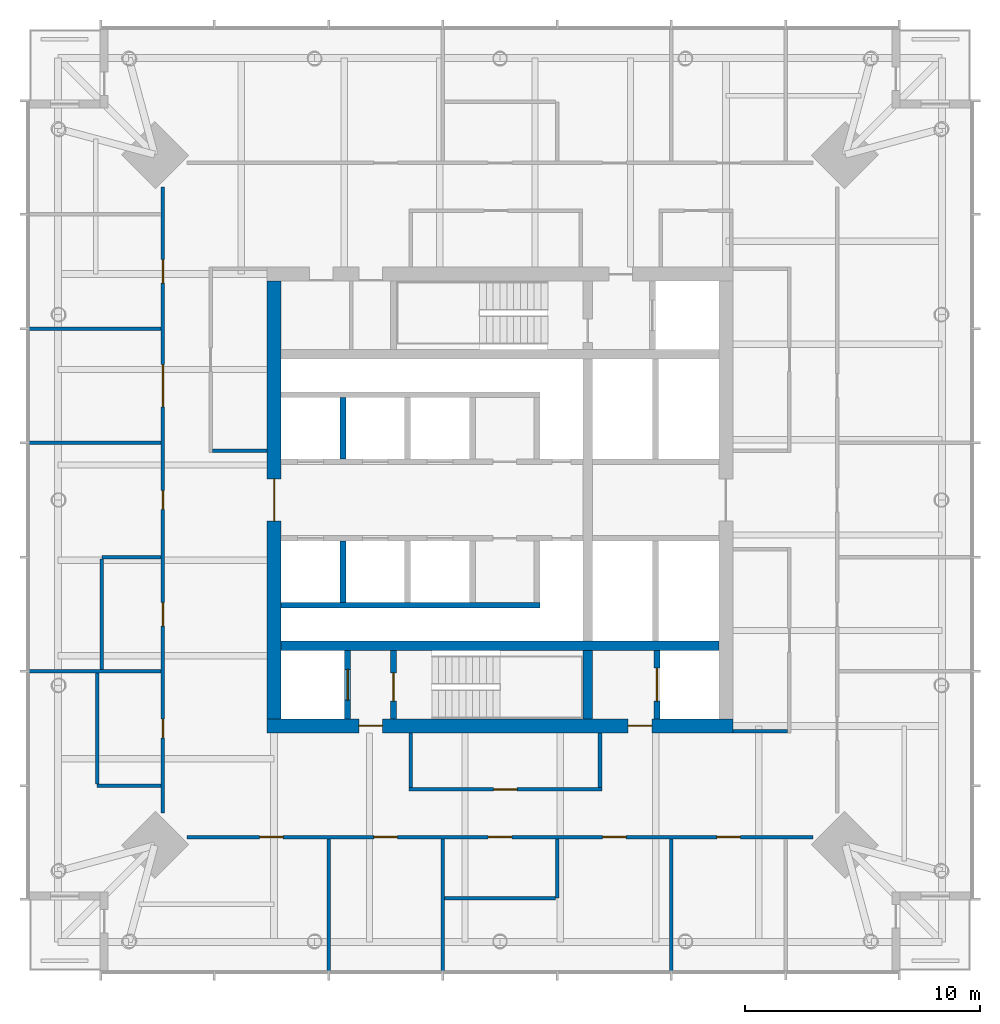
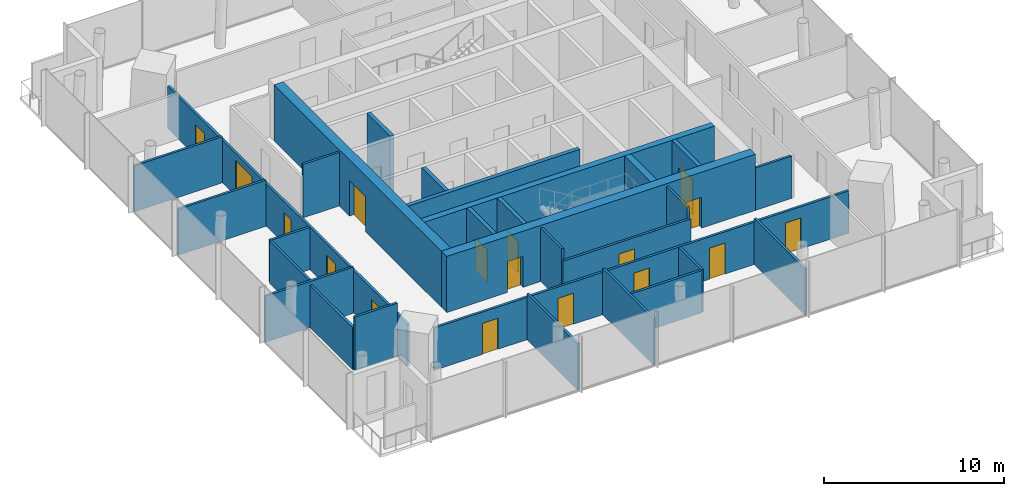
# One storey, part 4 of 7: 29 walls, 17 doors, 17 openings.
"""IFC4 building model written with IfcOpenShell, lengths in metres."""

import ifcopenshell
import ifcopenshell.guid

model = None  # the IFC model being written
_history = None  # IfcOwnerHistory: only IFC2X3 demands one
_inside = {}  # id of a spatial element -> (the spatial element, [elements in it])
_under = {}  # id of a project, library or spatial element -> (it, [spatial elements below it])
_declared = {}  # id of a project -> (the project, [libraries it declares])
_typed = {}  # id of a type object -> (the type object, [elements of that type])
_made_of = {}  # id of a material, layer set ... -> (it, [elements and type objects made of it])


def new_model(schema):
    """Start an empty IFC model of exactly this schema.

    Asked for "IFC4X3", IfcOpenShell would pick the latest addendum, in which some entities
    have other attributes; the version numbers below select the first issue.
    IFC2X3 requires an IfcOwnerHistory on every rooted entity: one is made here for all.
    """
    global model, _history
    if schema == "IFC4X3":
        model = ifcopenshell.file(schema_version=(4, 3, 0, 0))
    else:
        model = ifcopenshell.file(schema=schema)
    _inside.clear()
    _under.clear()
    _declared.clear()
    _typed.clear()
    _made_of.clear()
    _history = None
    if model.schema == "IFC2X3":
        org = make("IfcOrganization", Name="unknown")
        user = make(
            "IfcPersonAndOrganization",
            ThePerson=make("IfcPerson", FamilyName="unknown"),
            TheOrganization=org,
        )
        app = make(
            "IfcApplication",
            ApplicationDeveloper=org,
            Version="unknown",
            ApplicationFullName="unknown",
            ApplicationIdentifier="unknown",
        )
        _history = make(
            "IfcOwnerHistory",
            OwningUser=user,
            OwningApplication=app,
            ChangeAction="ADDED",
            CreationDate=0,
        )
    return model


def make(cls, **values):
    """One entity of the class cls with the attributes given. An attribute that is None is left unset."""
    return model.create_entity(
        cls, **{name: value for name, value in values.items() if value is not None}
    )


def rooted(cls, **values):
    """An entity with a GlobalId (a new one), such as an element, a storey or a relation."""
    return make(cls, GlobalId=ifcopenshell.guid.new(), OwnerHistory=_history, **values)


def si_unit(unit_type, name, prefix=None):
    """IfcSIUnit, for example si_unit("LENGTHUNIT", "METRE", prefix="MILLI")."""
    return make("IfcSIUnit", UnitType=unit_type, Prefix=prefix, Name=name)


def assignment(units):
    """IfcUnitAssignment: the units of a project."""
    return None if units is None else make("IfcUnitAssignment", Units=units)


def point(xyz):
    """IfcCartesianPoint."""
    return None if xyz is None else make("IfcCartesianPoint", Coordinates=xyz)


def direction(xyz):
    """IfcDirection."""
    return None if xyz is None else make("IfcDirection", DirectionRatios=xyz)


def frame(location, z_axis=None, x_axis=None):
    """IfcAxis2Placement3D, a coordinate frame: its origin and axes. An axis left out is left unset."""
    return make(
        "IfcAxis2Placement3D",
        Location=point(location),
        Axis=direction(z_axis),
        RefDirection=direction(x_axis),
    )


def frame_2d(location, x_axis=None):
    """IfcAxis2Placement2D, a coordinate frame in the plane: its origin and x axis."""
    return make(
        "IfcAxis2Placement2D", Location=point(location), RefDirection=direction(x_axis)
    )


def origin():
    """The frame at (0, 0, 0) with its axes left unset."""
    return frame((0.0, 0.0, 0.0))


def place(relative_to, where):
    """IfcLocalPlacement: puts the frame where relative to a parent placement (None: the world)."""
    return make(
        "IfcLocalPlacement", PlacementRelTo=relative_to, RelativePlacement=where
    )


def context(
    kind, dimensions, precision=None, world=None, true_north=None, identifier=None
):
    """IfcGeometricRepresentationContext, for example the 3D "Model" context."""
    return make(
        "IfcGeometricRepresentationContext",
        ContextIdentifier=identifier,
        ContextType=kind,
        CoordinateSpaceDimension=dimensions,
        Precision=precision,
        WorldCoordinateSystem=world,
        TrueNorth=true_north,
    )


def subcontext(parent, identifier, kind, view, scale=None):
    """IfcGeometricRepresentationSubContext, for example "Body" below "Model"."""
    return make(
        "IfcGeometricRepresentationSubContext",
        ContextIdentifier=identifier,
        ContextType=kind,
        ParentContext=parent,
        TargetScale=scale,
        TargetView=view,
    )


def project(units=None, contexts=None):
    """IfcProject with its units and contexts."""
    return rooted(
        "IfcProject",
        Name="project",
        RepresentationContexts=contexts,
        UnitsInContext=assignment(units),
    )


def spatial(cls, under=None, at=None, **own):
    """A site, building, storey or space (cls), placed at a placement, below another one or the project."""
    s = rooted(cls, ObjectPlacement=at, **own)
    if under is not None:
        _under.setdefault(under.id(), (under, []))[1].append(s)
    return s


def profile(cls, at=None, kind="AREA", **sizes):
    """A parametric profile (cls). Its sizes go by their IFC names, for example OverallWidth=200.0."""
    return make(cls, ProfileType=kind, Position=at, **sizes)


def rectangle(**sizes):
    """IfcRectangleProfileDef."""
    return profile("IfcRectangleProfileDef", **sizes)


def extrude(swept, where, along, depth):
    """IfcExtrudedAreaSolid: the profile swept, set in the frame where, extruded along a direction by depth."""
    return make(
        "IfcExtrudedAreaSolid",
        SweptArea=swept,
        Position=where,
        ExtrudedDirection=direction(along),
        Depth=depth,
    )


def shape(context_of_items, identifier, shape_type, items):
    """IfcShapeRepresentation: the items that make up one representation, for example the "Body"."""
    return make(
        "IfcShapeRepresentation",
        ContextOfItems=context_of_items,
        RepresentationIdentifier=identifier,
        RepresentationType=shape_type,
        Items=items,
    )


def material(Name=None, Category=None):
    """IfcMaterial."""
    return make("IfcMaterial", Name=Name, Category=Category)


def layer(
    of_material, thickness, ventilated=None, Name=None, Category=None, Priority=None
):
    """IfcMaterialLayer: one layer of a wall or slab, of a material (None: an air gap)."""
    return make(
        "IfcMaterialLayer",
        Material=of_material,
        LayerThickness=thickness,
        IsVentilated=ventilated,
        Name=Name,
        Category=Category,
        Priority=Priority,
    )


def layer_set(layers, Name=None):
    """IfcMaterialLayerSet."""
    return make("IfcMaterialLayerSet", MaterialLayers=layers, LayerSetName=Name)


def made_of(thing, what):
    """Note that an element or type object is made of a material, layer set ...; save() writes the relation."""
    if what is not None:
        _made_of.setdefault(what.id(), (what, []))[1].append(thing)
    return thing


def type_object(cls, material=None, **own):
    """A type object (cls), such as IfcWallType, which elements share."""
    return made_of(rooted(cls, **own), material)


def element(
    cls,
    number,
    at=None,
    inside=None,
    cuts=None,
    type_object=None,
    material=None,
    context=None,
    identifier="Body",
    shape_type=None,
    held_by="IfcProductDefinitionShape",
    body=None,
    shapes=None,
    **own,
):
    """One element of the class cls, such as IfcWall. Its Tag is "e" and its number.

    at: its placement. inside: the storey or other place that contains it. cuts: it is an
    opening in that element (IfcRelVoidsElement). A single representation is given by context,
    identifier, shape_type and body (its items); several are given by shapes. held_by: the class
    of the entity that holds the representations. save() writes the other relations.
    """
    e = rooted(cls, Tag="e%d" % number, ObjectPlacement=at, **own)
    if body is not None:
        shapes = [shape(context, identifier, shape_type, body)]
    if shapes is not None:
        e.Representation = make(held_by, Representations=shapes)
    if inside is not None:
        _inside.setdefault(inside.id(), (inside, []))[1].append(e)
    if cuts is not None:
        rooted(
            "IfcRelVoidsElement", RelatingBuildingElement=cuts, RelatedOpeningElement=e
        )
    if type_object is not None:
        _typed.setdefault(type_object.id(), (type_object, []))[1].append(e)
    return made_of(e, material)


def fill(opening, filler):
    """IfcRelFillsElement: the door or window that sits in an opening."""
    return rooted(
        "IfcRelFillsElement",
        RelatingOpeningElement=opening,
        RelatedBuildingElement=filler,
    )


def aggregate(whole, parts):
    """IfcRelAggregates: a whole, such as a stair, and the parts it consists of."""
    return rooted("IfcRelAggregates", RelatingObject=whole, RelatedObjects=parts)


def save(model, path):
    """Write the relations noted so far, then the file.

    IfcRelAggregates (storeys below a building ...), IfcRelContainedInSpatialStructure (elements
    in a storey), IfcRelDefinesByType, IfcRelAssociatesMaterial and IfcRelDeclares: one each for
    every whole, place, type object, material and project.
    """
    for whole, parts in _under.values():
        aggregate(whole, parts)
    for where, things in _inside.values():
        rooted(
            "IfcRelContainedInSpatialStructure",
            RelatedElements=things,
            RelatingStructure=where,
        )
    for kind, things in _typed.values():
        rooted("IfcRelDefinesByType", RelatedObjects=things, RelatingType=kind)
    for what, things in _made_of.values():
        rooted("IfcRelAssociatesMaterial", RelatedObjects=things, RelatingMaterial=what)
    for by, libraries in _declared.values():
        rooted("IfcRelDeclares", RelatingContext=by, RelatedDefinitions=libraries)
    model.write(path)


model = new_model("IFC4")

# Units and contexts
model_context = context("Model", 3, precision=1e-05, world=origin(), true_north=direction((0.0, 1.0)))
body_context = subcontext(model_context, "Body", "Model", "MODEL_VIEW")
ifc_project = project(units=[si_unit("LENGTHUNIT", "METRE"), si_unit("AREAUNIT", "SQUARE_METRE"), si_unit("VOLUMEUNIT", "CUBIC_METRE"), si_unit("PLANEANGLEUNIT", "RADIAN"), si_unit("MASSUNIT", "GRAM", prefix="KILO")], contexts=[model_context])

# Site, building, storey
site_placement = place(None, origin())
site = spatial("IfcSite", under=ifc_project, at=site_placement, CompositionType="ELEMENT")
building_placement = place(site_placement, origin())
building = spatial("IfcBuilding", under=site, at=building_placement, Name="Ostroluk Exchange", CompositionType="ELEMENT")
storey_placement = place(building_placement, frame((0.0, 0.0, 184.39990234375)))
storey = spatial("IfcBuildingStorey", under=building, at=storey_placement, Name="L47", CompositionType="ELEMENT", Elevation=184.39990234375)

# Walls
ifc_material_1 = material(Name="Concrete C50/60", Category="concrete")
ifc_layer_1 = layer(ifc_material_1, 0.39990234375)
ifc_layer_set_1 = layer_set([ifc_layer_1], Name="Core cross wall 400 C50/60")
wall_type_1 = type_object("IfcWallType", Name="Core cross wall 400 C50/60", PredefinedType="SHEAR", material=ifc_layer_set_1)
wall_1_placement = place(storey_placement, frame((35.699951171875, 39.800048828125, 0.0), z_axis=(0.0, 0.0, 1.0), x_axis=(1.0, 0.0, 0.0)))
element("IfcWall", 1, at=wall_1_placement, inside=storey, type_object=wall_type_1, Name="T1 core wall XS", PredefinedType="SHEAR", context=body_context, shape_type="SweptSolid", body=[
    extrude(rectangle(XDim=18.60009765625, YDim=0.39990234375, at=frame_2d((9.300048828125, 0.0))), origin(), (0.0, 0.0, 1.0), 3.800048828125),
])
wall_2_placement = place(storey_placement, frame((48.72998046875, 36.699951171875, 0.0), z_axis=(0.0, 0.0, 1.0), x_axis=(0.0, 1.0, 0.0)))
element("IfcWall", 2, at=wall_2_placement, inside=storey, type_object=wall_type_1, Name="T1 core wall YE1", PredefinedType="SHEAR", context=body_context, shape_type="SweptSolid", body=[
    extrude(rectangle(XDim=2.900146484375, YDim=0.39990234375, at=frame_2d((1.4501953125, 0.0))), origin(), (0.0, 0.0, 1.0), 3.800048828125),
])

# Wall, opening, door
ifc_material_2 = material(Name="Concrete C40/50", Category="concrete")
ifc_layer_2 = layer(ifc_material_2, 0.25)
ifc_layer_set_2 = layer_set([ifc_layer_2], Name="Core shaft wall 250")
wall_type_2 = type_object("IfcWallType", Name="Core shaft wall 250", PredefinedType="SHEAR", material=ifc_layer_set_2)
wall_3_placement = place(storey_placement, frame((38.52490234375, 36.699951171875, 0.0), z_axis=(0.0, 0.0, 1.0), x_axis=(0.0, 1.0, 0.0)))
wall_3 = element("IfcWall", 3, at=wall_3_placement, inside=storey, type_object=wall_type_2, Name="Firefighting lift shaft wall", PredefinedType="SHEAR", context=body_context, shape_type="SweptSolid", body=[
    extrude(rectangle(XDim=2.900146484375, YDim=0.25, at=frame_2d((1.4501953125, 0.0))), origin(), (0.0, 0.0, 1.0), 3.800048828125),
])
opening_1_placement = place(wall_3_placement, frame((0.800048828125, 0.0, 0.0)))
opening_1 = element("IfcOpeningElement", 4, at=opening_1_placement, cuts=wall_3, Name="Opening LD2", PredefinedType="OPENING", context=body_context, shape_type="SweptSolid", body=[
    extrude(rectangle(XDim=1.300048828125, YDim=2.199951171875, at=frame_2d((0.64990234375, 1.10009765625))), frame((0.0, 0.135009765625, 0.0), z_axis=(0.0, -1.0, 0.0), x_axis=(1.0, 0.0, 0.0)), (0.0, 0.0, 1.0), 0.27001953125),
])
ifc_material_3 = material(Name="Stainless steel", Category="steel")
door_type_1 = type_object("IfcDoorType", Name="Lift landing door E 60 1300 x 2200", OperationType="DOUBLE_DOOR_SLIDING", PredefinedType="DOOR", material=ifc_material_3)
door_1_placement = place(opening_1_placement, origin())
door_1 = element("IfcDoor", 5, at=door_1_placement, inside=storey, type_object=door_type_1, Name="Lift FL1 landing door", OperationType="DOUBLE_DOOR_SLIDING", OverallHeight=2.199951171875, OverallWidth=1.300048828125, PredefinedType="DOOR", context=body_context, shape_type="SweptSolid", body=[
    extrude(rectangle(XDim=1.300048828125, YDim=2.199951171875, at=frame_2d((0.64990234375, 1.10009765625))), frame((0.0, 0.02490234375, 0.0), z_axis=(0.0, -1.0, 0.0), x_axis=(1.0, 0.0, 0.0)), (0.0, 0.0, 1.0), 0.050048828125),
])
fill(opening_1, door_1)

wall_4_placement = place(storey_placement, frame((40.47509765625, 36.699951171875, 0.0), z_axis=(0.0, 0.0, 1.0), x_axis=(0.0, 1.0, 0.0)))
wall_4 = element("IfcWall", 6, at=wall_4_placement, inside=storey, type_object=wall_type_2, Name="Stair shaft wall", PredefinedType="SHEAR", context=body_context, shape_type="SweptSolid", body=[
    extrude(rectangle(XDim=2.900146484375, YDim=0.25, at=frame_2d((1.4501953125, 0.0))), origin(), (0.0, 0.0, 1.0), 3.800048828125),
])
opening_2_placement = place(wall_4_placement, frame((0.75, 0.0, 0.0)))
opening_2 = element("IfcOpeningElement", 7, at=opening_2_placement, cuts=wall_4, Name="Opening FD60S", PredefinedType="OPENING", context=body_context, shape_type="SweptSolid", body=[
    extrude(rectangle(XDim=1.199951171875, YDim=2.10009765625, at=frame_2d((0.60009765625, 1.050048828125))), frame((0.0, 0.135009765625, 0.0), z_axis=(0.0, -1.0, 0.0), x_axis=(1.0, 0.0, 0.0)), (0.0, 0.0, 1.0), 0.27001953125),
])
ifc_material_4 = material(Name="Steel", Category="steel")
door_type_2 = type_object("IfcDoorType", Name="Stair door EI 60 1200 x 2100", OperationType="SINGLE_SWING_LEFT", PredefinedType="DOOR", material=ifc_material_4)
door_2_placement = place(opening_2_placement, origin())
door_2 = element("IfcDoor", 8, at=door_2_placement, inside=storey, type_object=door_type_2, Name="Stair T1-S1 door", OperationType="SINGLE_SWING_LEFT", OverallHeight=2.10009765625, OverallWidth=1.199951171875, PredefinedType="DOOR", context=body_context, shape_type="SweptSolid", body=[
    extrude(rectangle(XDim=1.199951171875, YDim=2.10009765625, at=frame_2d((0.60009765625, 1.050048828125))), frame((0.0, 0.02490234375, 0.0), z_axis=(0.0, -1.0, 0.0), x_axis=(1.0, 0.0, 0.0)), (0.0, 0.0, 1.0), 0.050048828125),
])
fill(opening_2, door_2)

wall_5_placement = place(storey_placement, frame((51.675048828125, 36.699951171875, 0.0), z_axis=(0.0, 0.0, 1.0), x_axis=(0.0, 1.0, 0.0)))
wall_5 = element("IfcWall", 9, at=wall_5_placement, inside=storey, type_object=wall_type_2, Name="Service lift shaft wall", PredefinedType="SHEAR", context=body_context, shape_type="SweptSolid", body=[
    extrude(rectangle(XDim=2.900146484375, YDim=0.25, at=frame_2d((1.4501953125, 0.0))), origin(), (0.0, 0.0, 1.0), 3.800048828125),
])
opening_3_placement = place(wall_5_placement, frame((0.75, 0.0, 0.0)))
opening_3 = element("IfcOpeningElement", 10, at=opening_3_placement, cuts=wall_5, Name="Opening LD3", PredefinedType="OPENING", context=body_context, shape_type="SweptSolid", body=[
    extrude(rectangle(XDim=1.39990234375, YDim=2.39990234375, at=frame_2d((0.699951171875, 1.199951171875))), frame((0.0, 0.135009765625, 0.0), z_axis=(0.0, -1.0, 0.0), x_axis=(1.0, 0.0, 0.0)), (0.0, 0.0, 1.0), 0.27001953125),
])
ifc_material_5 = material(Name="Stainless steel", Category="steel")
door_type_3 = type_object("IfcDoorType", Name="Goods lift landing door E 60 1400 x 2400", OperationType="DOUBLE_DOOR_SLIDING", PredefinedType="DOOR", material=ifc_material_5)
door_3_placement = place(opening_3_placement, origin())
door_3 = element("IfcDoor", 11, at=door_3_placement, inside=storey, type_object=door_type_3, Name="Lift SL1 landing door", OperationType="DOUBLE_DOOR_SLIDING", OverallHeight=2.39990234375, OverallWidth=1.39990234375, PredefinedType="DOOR", context=body_context, shape_type="SweptSolid", body=[
    extrude(rectangle(XDim=1.39990234375, YDim=2.39990234375, at=frame_2d((0.699951171875, 1.199951171875))), frame((0.0, 0.02490234375, 0.0), z_axis=(0.0, -1.0, 0.0), x_axis=(1.0, 0.0, 0.0)), (0.0, 0.0, 1.0), 0.050048828125),
])
fill(opening_3, door_3)

# Walls
for number, where, z_axis, x_axis, name in (
    (12, (38.324951171875, 47.75, 0.0), (0.0, 0.0, 1.0), (0.0, 1.0, 0.0), "Lift shaft wall"),
    (13, (38.324951171875, 44.25, 0.0), (0.0, 0.0, 1.0), (0.0, -1.0, 0.0), "Lift shaft wall"),
):
    element("IfcWall", number, at=place(storey_placement, frame(where, z_axis=z_axis, x_axis=x_axis)), inside=storey, type_object=wall_type_2, Name=name, PredefinedType="SHEAR", context=body_context, shape_type="SweptSolid", body=[
        extrude(rectangle(XDim=2.60009765625, YDim=0.25, at=frame_2d((1.300048828125, 0.0))), origin(), (0.0, 0.0, 1.0), 3.800048828125),
    ])
wall_6_placement = place(storey_placement, frame((35.699951171875, 41.52490234375, 0.0), z_axis=(0.0, 0.0, 1.0), x_axis=(1.0, 0.0, 0.0)))
element("IfcWall", 14, at=wall_6_placement, inside=storey, type_object=wall_type_2, Name="Lift shaft wall", PredefinedType="SHEAR", context=body_context, shape_type="SweptSolid", body=[
    extrude(rectangle(XDim=11.0, YDim=0.25, at=frame_2d((5.5, 0.0))), origin(), (0.0, 0.0, 1.0), 3.800048828125),
])

# Wall, openings, doors
ifc_material_6 = material(Name="Concrete C50/60", Category="concrete")
ifc_layer_3 = layer(ifc_material_6, 0.60009765625)
ifc_layer_set_3 = layer_set([ifc_layer_3], Name="Core wall 600 C50/60")
wall_type_3 = type_object("IfcWallType", Name="Core wall 600 C50/60", PredefinedType="SHEAR", material=ifc_layer_set_3)
wall_7_placement = place(storey_placement, frame((35.10009765625, 36.39990234375, 0.0), z_axis=(0.0, 0.0, 1.0), x_axis=(1.0, 0.0, 0.0)))
wall_7 = element("IfcWall", 15, at=wall_7_placement, inside=storey, type_object=wall_type_3, Name="T1 core wall S", PredefinedType="SHEAR", context=body_context, shape_type="SweptSolid", body=[
    extrude(rectangle(XDim=19.7998046875, YDim=0.60009765625, at=frame_2d((9.89990234375, 0.0))), origin(), (0.0, 0.0, 1.0), 3.800048828125),
])
opening_4_placement = place(wall_7_placement, frame((3.89990234375, 0.0, 0.0)))
opening_4 = element("IfcOpeningElement", 16, at=opening_4_placement, cuts=wall_7, Name="Opening FD60", PredefinedType="OPENING", context=body_context, shape_type="SweptSolid", body=[
    extrude(rectangle(XDim=1.0, YDim=2.10009765625, at=frame_2d((0.5, 1.050048828125))), frame((0.0, 0.31005859375, 0.0), z_axis=(0.0, -1.0, 0.0), x_axis=(1.0, 0.0, 0.0)), (0.0, 0.0, 1.0), 0.6201171875),
])
opening_5_placement = place(wall_7_placement, frame((15.35009765625, 0.0, 0.0)))
opening_5 = element("IfcOpeningElement", 17, at=opening_5_placement, cuts=wall_7, Name="Opening FD60", PredefinedType="OPENING", context=body_context, shape_type="SweptSolid", body=[
    extrude(rectangle(XDim=1.0, YDim=2.10009765625, at=frame_2d((0.5, 1.050048828125))), frame((0.0, 0.31005859375, 0.0), z_axis=(0.0, -1.0, 0.0), x_axis=(1.0, 0.0, 0.0)), (0.0, 0.0, 1.0), 0.6201171875),
])
ifc_material_7 = material(Name="Steel", Category="steel")
door_type_4 = type_object("IfcDoorType", Name="Fire door EI 60 1000 x 2100", OperationType="SINGLE_SWING_LEFT", PredefinedType="DOOR", material=ifc_material_7)
door_4_placement = place(opening_4_placement, origin())
door_4 = element("IfcDoor", 18, at=door_4_placement, inside=storey, type_object=door_type_4, Name="Firefighting lobby door", OperationType="SINGLE_SWING_LEFT", OverallHeight=2.10009765625, OverallWidth=1.0, PredefinedType="DOOR", context=body_context, shape_type="SweptSolid", body=[
    extrude(rectangle(XDim=1.0, YDim=2.10009765625, at=frame_2d((0.5, 1.050048828125))), frame((0.0, 0.02490234375, 0.0), z_axis=(0.0, -1.0, 0.0), x_axis=(1.0, 0.0, 0.0)), (0.0, 0.0, 1.0), 0.050048828125),
])
fill(opening_4, door_4)
door_5_placement = place(opening_5_placement, origin())
door_5 = element("IfcDoor", 19, at=door_5_placement, inside=storey, type_object=door_type_4, Name="Service lobby door", OperationType="SINGLE_SWING_RIGHT", OverallHeight=2.10009765625, OverallWidth=1.0, PredefinedType="DOOR", context=body_context, shape_type="SweptSolid", body=[
    extrude(rectangle(XDim=1.0, YDim=2.10009765625, at=frame_2d((0.5, 1.050048828125))), frame((0.0, 0.02490234375, 0.0), z_axis=(0.0, -1.0, 0.0), x_axis=(1.0, 0.0, 0.0)), (0.0, 0.0, 1.0), 0.050048828125),
])
fill(opening_5, door_5)

# Wall, opening, door
wall_8_placement = place(storey_placement, frame((35.39990234375, 36.699951171875, 0.0), z_axis=(0.0, 0.0, 1.0), x_axis=(0.0, 1.0, 0.0)))
wall_8 = element("IfcWall", 20, at=wall_8_placement, inside=storey, type_object=wall_type_3, Name="T1 core wall W", PredefinedType="SHEAR", context=body_context, shape_type="SweptSolid", body=[
    extrude(rectangle(XDim=18.60009765625, YDim=0.60009765625, at=frame_2d((9.300048828125, 0.0))), origin(), (0.0, 0.0, 1.0), 3.800048828125),
])
opening_6_placement = place(wall_8_placement, frame((8.39990234375, 0.0, 0.0)))
opening_6 = element("IfcOpeningElement", 21, at=opening_6_placement, cuts=wall_8, Name="Opening FD30D", PredefinedType="OPENING", context=body_context, shape_type="SweptSolid", body=[
    extrude(rectangle(XDim=1.800048828125, YDim=2.39990234375, at=frame_2d((0.89990234375, 1.199951171875))), frame((0.0, 0.31005859375, 0.0), z_axis=(0.0, -1.0, 0.0), x_axis=(1.0, 0.0, 0.0)), (0.0, 0.0, 1.0), 0.6201171875),
])
ifc_material_8 = material(Name="Timber", Category="wood")
door_type_5 = type_object("IfcDoorType", Name="Lobby double door EI 30 1800 x 2400", OperationType="DOUBLE_DOOR_SINGLE_SWING", PredefinedType="DOOR", material=ifc_material_8)
door_6_placement = place(opening_6_placement, origin())
door_6 = element("IfcDoor", 22, at=door_6_placement, inside=storey, type_object=door_type_5, Name="Lift lobby doors", OperationType="DOUBLE_DOOR_SINGLE_SWING", OverallHeight=2.39990234375, OverallWidth=1.800048828125, PredefinedType="DOOR", context=body_context, shape_type="SweptSolid", body=[
    extrude(rectangle(XDim=1.800048828125, YDim=2.39990234375, at=frame_2d((0.89990234375, 1.199951171875))), frame((0.0, 0.02490234375, 0.0), z_axis=(0.0, -1.0, 0.0), x_axis=(1.0, 0.0, 0.0)), (0.0, 0.0, 1.0), 0.050048828125),
])
fill(opening_6, door_6)

# Walls
ifc_material_9 = material(Name="Gypsum plasterboard partition", Category="gypsum")
ifc_layer_4 = layer(ifc_material_9, 0.14990234375)
ifc_layer_set_4 = layer_set([ifc_layer_4], Name="Plasterboard partition 150")
wall_type_4 = type_object("IfcWallType", Name="Plasterboard partition 150", PredefinedType="PARTITIONING", material=ifc_layer_set_4)
wall_9_placement = place(storey_placement, frame((54.89990234375, 36.175048828125, 0.0), z_axis=(0.0, 0.0, 1.0), x_axis=(1.0, 0.0, 0.0)))
element("IfcWall", 23, at=wall_9_placement, inside=storey, type_object=wall_type_4, Name="Partition", PredefinedType="PARTITIONING", context=body_context, shape_type="SweptSolid", body=[
    extrude(rectangle(XDim=2.3251953125, YDim=0.14990234375, at=frame_2d((1.16259765625, 0.0))), origin(), (0.0, 0.0, 1.0), 2.8671875),
])
wall_10_placement = place(storey_placement, frame((35.10009765625, 48.10009765625, 0.0), z_axis=(0.0, 0.0, 1.0), x_axis=(-1.0, 0.0, 0.0)))
element("IfcWall", 24, at=wall_10_placement, inside=storey, type_object=wall_type_4, Name="Partition", PredefinedType="PARTITIONING", context=body_context, shape_type="SweptSolid", body=[
    extrude(rectangle(XDim=2.3251953125, YDim=0.14990234375, at=frame_2d((1.16259765625, 0.0))), origin(), (0.0, 0.0, 1.0), 3.6201171875),
])

# Wall, opening, door
wall_11_placement = place(storey_placement, frame((41.125, 33.699951171875, 0.0), z_axis=(0.0, 0.0, 1.0), x_axis=(1.0, 0.0, 0.0)))
wall_11 = element("IfcWall", 25, at=wall_11_placement, inside=storey, type_object=wall_type_4, Name="Partition", PredefinedType="PARTITIONING", context=body_context, shape_type="SweptSolid", body=[
    extrude(rectangle(XDim=8.199951171875, YDim=0.14990234375, at=frame_2d((4.10009765625, 0.0))), origin(), (0.0, 0.0, 1.0), 2.8671875),
])
opening_7_placement = place(wall_11_placement, frame((3.60009765625, 0.0, 0.0)))
opening_7 = element("IfcOpeningElement", 26, at=opening_7_placement, cuts=wall_11, Name="Opening D-03", PredefinedType="OPENING", context=body_context, shape_type="SweptSolid", body=[
    extrude(rectangle(XDim=1.0, YDim=2.10009765625, at=frame_2d((0.5, 1.050048828125))), frame((0.0, 0.0849609375, 0.0), z_axis=(0.0, -1.0, 0.0), x_axis=(1.0, 0.0, 0.0)), (0.0, 0.0, 1.0), 0.169921875),
])
ifc_material_10 = material(Name="Timber", Category="wood")
door_type_6 = type_object("IfcDoorType", Name="Internal door 1000 x 2100", OperationType="SINGLE_SWING_LEFT", PredefinedType="DOOR", material=ifc_material_10)
door_7_placement = place(opening_7_placement, origin())
door_7 = element("IfcDoor", 27, at=door_7_placement, inside=storey, type_object=door_type_6, Name="Tea point door", OperationType="SINGLE_SWING_LEFT", OverallHeight=2.10009765625, OverallWidth=1.0, PredefinedType="DOOR", context=body_context, shape_type="SweptSolid", body=[
    extrude(rectangle(XDim=1.0, YDim=2.10009765625, at=frame_2d((0.5, 1.050048828125))), frame((0.0, 0.02490234375, 0.0), z_axis=(0.0, -1.0, 0.0), x_axis=(1.0, 0.0, 0.0)), (0.0, 0.0, 1.0), 0.050048828125),
])
fill(opening_7, door_7)

# Walls
for number, where, z_axis, x_axis, name in (
    (28, (41.199951171875, 36.10009765625, 0.0), (0.0, 0.0, 1.0), (0.0, -1.0, 0.0), "Partition"),
    (29, (49.25, 36.10009765625, 0.0), (0.0, 0.0, 1.0), (0.0, -1.0, 0.0), "Partition"),
):
    element("IfcWall", number, at=place(storey_placement, frame(where, z_axis=z_axis, x_axis=x_axis)), inside=storey, type_object=wall_type_4, Name=name, PredefinedType="PARTITIONING", context=body_context, shape_type="SweptSolid", body=[
        extrude(rectangle(XDim=2.3251953125, YDim=0.14990234375, at=frame_2d((1.16259765625, 0.0))), origin(), (0.0, 0.0, 1.0), 3.6201171875),
    ])

# Wall, openings, doors
wall_12_placement = place(storey_placement, frame((30.675048828125, 59.300048828125, 0.0), z_axis=(0.0, 0.0, 1.0), x_axis=(0.0, -1.0, 0.0)))
wall_12 = element("IfcWall", 30, at=wall_12_placement, inside=storey, type_object=wall_type_4, Name="Partition", PredefinedType="PARTITIONING", context=body_context, shape_type="SweptSolid", body=[
    extrude(rectangle(XDim=26.60009765625, YDim=0.14990234375, at=frame_2d((13.300048828125, 0.0))), origin(), (0.0, 0.0, 1.0), 2.8671875),
])
opening_8_placement = place(wall_12_placement, frame((3.085693359375, 0.0, 0.0)))
opening_8 = element("IfcOpeningElement", 31, at=opening_8_placement, cuts=wall_12, Name="Opening D-03", PredefinedType="OPENING", context=body_context, shape_type="SweptSolid", body=[
    extrude(rectangle(XDim=1.0, YDim=2.10009765625, at=frame_2d((0.5, 1.050048828125))), frame((0.0, 0.0849609375, 0.0), z_axis=(0.0, -1.0, 0.0), x_axis=(1.0, 0.0, 0.0)), (0.0, 0.0, 1.0), 0.169921875),
])
opening_9_placement = place(wall_12_placement, frame((7.54296875, 0.0, 0.0)))
opening_9 = element("IfcOpeningElement", 32, at=opening_9_placement, cuts=wall_12, Name="Opening D-04", PredefinedType="OPENING", context=body_context, shape_type="SweptSolid", body=[
    extrude(rectangle(XDim=1.800048828125, YDim=2.39990234375, at=frame_2d((0.89990234375, 1.199951171875))), frame((0.0, 0.0849609375, 0.0), z_axis=(0.0, -1.0, 0.0), x_axis=(1.0, 0.0, 0.0)), (0.0, 0.0, 1.0), 0.169921875),
])
opening_10_placement = place(wall_12_placement, frame((12.900146484375, 0.0, 0.0)))
opening_10 = element("IfcOpeningElement", 33, at=opening_10_placement, cuts=wall_12, Name="Opening D-06", PredefinedType="OPENING", context=body_context, shape_type="SweptSolid", body=[
    extrude(rectangle(XDim=0.800048828125, YDim=2.10009765625, at=frame_2d((0.39990234375, 1.050048828125))), frame((0.0, 0.0849609375, 0.0), z_axis=(0.0, -1.0, 0.0), x_axis=(1.0, 0.0, 0.0)), (0.0, 0.0, 1.0), 0.169921875),
])
opening_11_placement = place(wall_12_placement, frame((17.6572265625, 0.0, 0.0)))
opening_11 = element("IfcOpeningElement", 34, at=opening_11_placement, cuts=wall_12, Name="Opening D-03", PredefinedType="OPENING", context=body_context, shape_type="SweptSolid", body=[
    extrude(rectangle(XDim=1.0, YDim=2.10009765625, at=frame_2d((0.5, 1.050048828125))), frame((0.0, 0.0849609375, 0.0), z_axis=(0.0, -1.0, 0.0), x_axis=(1.0, 0.0, 0.0)), (0.0, 0.0, 1.0), 0.169921875),
])
opening_12_placement = place(wall_12_placement, frame((22.6142578125, 0.0, 0.0)))
opening_12 = element("IfcOpeningElement", 35, at=opening_12_placement, cuts=wall_12, Name="Opening D-06", PredefinedType="OPENING", context=body_context, shape_type="SweptSolid", body=[
    extrude(rectangle(XDim=0.800048828125, YDim=2.10009765625, at=frame_2d((0.39990234375, 1.050048828125))), frame((0.0, 0.0849609375, 0.0), z_axis=(0.0, -1.0, 0.0), x_axis=(1.0, 0.0, 0.0)), (0.0, 0.0, 1.0), 0.169921875),
])
ifc_material_11 = material(Name="Timber", Category="wood")
door_type_7 = type_object("IfcDoorType", Name="Double door 1800 x 2400", OperationType="DOUBLE_DOOR_SINGLE_SWING", PredefinedType="DOOR", material=ifc_material_11)
door_8_placement = place(opening_9_placement, origin())
door_8 = element("IfcDoor", 36, at=door_8_placement, inside=storey, type_object=door_type_7, Name="Boardroom door", OperationType="DOUBLE_DOOR_SINGLE_SWING", OverallHeight=2.39990234375, OverallWidth=1.800048828125, PredefinedType="DOOR", context=body_context, shape_type="SweptSolid", body=[
    extrude(rectangle(XDim=1.800048828125, YDim=2.39990234375, at=frame_2d((0.89990234375, 1.199951171875))), frame((0.0, 0.02490234375, 0.0), z_axis=(0.0, -1.0, 0.0), x_axis=(1.0, 0.0, 0.0)), (0.0, 0.0, 1.0), 0.050048828125),
])
fill(opening_9, door_8)
door_9_placement = place(opening_8_placement, origin())
door_9 = element("IfcDoor", 37, at=door_9_placement, inside=storey, type_object=door_type_6, Name="Office door", OperationType="SINGLE_SWING_LEFT", OverallHeight=2.10009765625, OverallWidth=1.0, PredefinedType="DOOR", context=body_context, shape_type="SweptSolid", body=[
    extrude(rectangle(XDim=1.0, YDim=2.10009765625, at=frame_2d((0.5, 1.050048828125))), frame((0.0, 0.02490234375, 0.0), z_axis=(0.0, -1.0, 0.0), x_axis=(1.0, 0.0, 0.0)), (0.0, 0.0, 1.0), 0.050048828125),
])
fill(opening_8, door_9)
door_10_placement = place(opening_11_placement, origin())
door_10 = element("IfcDoor", 38, at=door_10_placement, inside=storey, type_object=door_type_6, Name="Accessible WC door", OperationType="SINGLE_SWING_RIGHT", OverallHeight=2.10009765625, OverallWidth=1.0, PredefinedType="DOOR", context=body_context, shape_type="SweptSolid", body=[
    extrude(rectangle(XDim=1.0, YDim=2.10009765625, at=frame_2d((0.5, 1.050048828125))), frame((0.0, 0.02490234375, 0.0), z_axis=(0.0, -1.0, 0.0), x_axis=(1.0, 0.0, 0.0)), (0.0, 0.0, 1.0), 0.050048828125),
])
fill(opening_11, door_10)
ifc_material_12 = material(Name="Timber", Category="wood")
door_type_8 = type_object("IfcDoorType", Name="Toilet door 800 x 2100", OperationType="SINGLE_SWING_LEFT", PredefinedType="DOOR", material=ifc_material_12)
door_11_placement = place(opening_10_placement, origin())
door_11 = element("IfcDoor", 39, at=door_11_placement, inside=storey, type_object=door_type_8, Name="WC female door", OperationType="SINGLE_SWING_LEFT", OverallHeight=2.10009765625, OverallWidth=0.800048828125, PredefinedType="DOOR", context=body_context, shape_type="SweptSolid", body=[
    extrude(rectangle(XDim=0.800048828125, YDim=2.10009765625, at=frame_2d((0.39990234375, 1.050048828125))), frame((0.0, 0.02490234375, 0.0), z_axis=(0.0, -1.0, 0.0), x_axis=(1.0, 0.0, 0.0)), (0.0, 0.0, 1.0), 0.050048828125),
])
fill(opening_10, door_11)
door_12_placement = place(opening_12_placement, origin())
door_12 = element("IfcDoor", 40, at=door_12_placement, inside=storey, type_object=door_type_8, Name="WC male door", OperationType="SINGLE_SWING_RIGHT", OverallHeight=2.10009765625, OverallWidth=0.800048828125, PredefinedType="DOOR", context=body_context, shape_type="SweptSolid", body=[
    extrude(rectangle(XDim=0.800048828125, YDim=2.10009765625, at=frame_2d((0.39990234375, 1.050048828125))), frame((0.0, 0.02490234375, 0.0), z_axis=(0.0, -1.0, 0.0), x_axis=(1.0, 0.0, 0.0)), (0.0, 0.0, 1.0), 0.050048828125),
])
fill(opening_12, door_12)

# Walls
for number, where, z_axis, x_axis, name in (
    (41, (30.60009765625, 53.28564453125, 0.0), (0.0, 0.0, 1.0), (-1.0, 0.0, 0.0), "Partition"),
    (42, (30.60009765625, 48.428466796875, 0.0), (0.0, 0.0, 1.0), (-1.0, 0.0, 0.0), "Partition"),
):
    element("IfcWall", number, at=place(storey_placement, frame(where, z_axis=z_axis, x_axis=x_axis)), inside=storey, type_object=wall_type_4, Name=name, PredefinedType="PARTITIONING", context=body_context, shape_type="SweptSolid", body=[
        extrude(rectangle(XDim=5.64013671875, YDim=0.14990234375, at=frame_2d((2.820068359375, 0.0))), origin(), (0.0, 0.0, 1.0), 3.1201171875),
    ])
wall_13_placement = place(storey_placement, frame((30.60009765625, 43.571533203125, 0.0), z_axis=(0.0, 0.0, 1.0), x_axis=(-1.0, 0.0, 0.0)))
element("IfcWall", 43, at=wall_13_placement, inside=storey, type_object=wall_type_4, Name="Partition", PredefinedType="PARTITIONING", context=body_context, shape_type="SweptSolid", body=[
    extrude(rectangle(XDim=2.525146484375, YDim=0.14990234375, at=frame_2d((1.2626953125, 0.0))), origin(), (0.0, 0.0, 1.0), 2.8671875),
])
wall_14_placement = place(storey_placement, frame((30.60009765625, 38.71435546875, 0.0), z_axis=(0.0, 0.0, 1.0), x_axis=(-1.0, 0.0, 0.0)))
element("IfcWall", 44, at=wall_14_placement, inside=storey, type_object=wall_type_4, Name="Partition", PredefinedType="PARTITIONING", context=body_context, shape_type="SweptSolid", body=[
    extrude(rectangle(XDim=5.64013671875, YDim=0.14990234375, at=frame_2d((2.820068359375, 0.0))), origin(), (0.0, 0.0, 1.0), 3.1201171875),
])
wall_15_placement = place(storey_placement, frame((30.60009765625, 33.857177734375, 0.0), z_axis=(0.0, 0.0, 1.0), x_axis=(-1.0, 0.0, 0.0)))
element("IfcWall", 45, at=wall_15_placement, inside=storey, type_object=wall_type_4, Name="Partition", PredefinedType="PARTITIONING", context=body_context, shape_type="SweptSolid", body=[
    extrude(rectangle(XDim=2.72509765625, YDim=0.14990234375, at=frame_2d((1.362548828125, 0.0))), origin(), (0.0, 0.0, 1.0), 3.6201171875),
])
wall_16_placement = place(storey_placement, frame((42.646484375, 29.074951171875, 0.0), z_axis=(0.0, 0.0, 1.0), x_axis=(1.0, 0.0, 0.0)))
element("IfcWall", 46, at=wall_16_placement, inside=storey, type_object=wall_type_4, Name="Partition", PredefinedType="PARTITIONING", context=body_context, shape_type="SweptSolid", body=[
    extrude(rectangle(XDim=4.70703125, YDim=0.14990234375, at=frame_2d((2.353515625, 0.0))), origin(), (0.0, 0.0, 1.0), 2.8671875),
])

# Wall, openings, doors
wall_17_placement = place(storey_placement, frame((31.699951171875, 31.675048828125, 0.0), z_axis=(0.0, 0.0, 1.0), x_axis=(1.0, 0.0, 0.0)))
wall_17 = element("IfcWall", 47, at=wall_17_placement, inside=storey, type_object=wall_type_4, Name="Partition", PredefinedType="PARTITIONING", context=body_context, shape_type="SweptSolid", body=[
    extrude(rectangle(XDim=26.60009765625, YDim=0.14990234375, at=frame_2d((13.300048828125, 0.0))), origin(), (0.0, 0.0, 1.0), 2.8671875),
])
opening_13_placement = place(wall_17_placement, frame((3.085693359375, 0.0, 0.0)))
opening_13 = element("IfcOpeningElement", 48, at=opening_13_placement, cuts=wall_17, Name="Opening D-03", PredefinedType="OPENING", context=body_context, shape_type="SweptSolid", body=[
    extrude(rectangle(XDim=1.0, YDim=2.10009765625, at=frame_2d((0.5, 1.050048828125))), frame((0.0, 0.0849609375, 0.0), z_axis=(0.0, -1.0, 0.0), x_axis=(1.0, 0.0, 0.0)), (0.0, 0.0, 1.0), 0.169921875),
])
opening_14_placement = place(wall_17_placement, frame((7.94287109375, 0.0, 0.0)))
opening_14 = element("IfcOpeningElement", 49, at=opening_14_placement, cuts=wall_17, Name="Opening D-03", PredefinedType="OPENING", context=body_context, shape_type="SweptSolid", body=[
    extrude(rectangle(XDim=1.0, YDim=2.10009765625, at=frame_2d((0.5, 1.050048828125))), frame((0.0, 0.0849609375, 0.0), z_axis=(0.0, -1.0, 0.0), x_axis=(1.0, 0.0, 0.0)), (0.0, 0.0, 1.0), 0.169921875),
])
opening_15_placement = place(wall_17_placement, frame((12.800048828125, 0.0, 0.0)))
opening_15 = element("IfcOpeningElement", 50, at=opening_15_placement, cuts=wall_17, Name="Opening D-03", PredefinedType="OPENING", context=body_context, shape_type="SweptSolid", body=[
    extrude(rectangle(XDim=1.0, YDim=2.10009765625, at=frame_2d((0.5, 1.050048828125))), frame((0.0, 0.0849609375, 0.0), z_axis=(0.0, -1.0, 0.0), x_axis=(1.0, 0.0, 0.0)), (0.0, 0.0, 1.0), 0.169921875),
])
opening_16_placement = place(wall_17_placement, frame((17.6572265625, 0.0, 0.0)))
opening_16 = element("IfcOpeningElement", 51, at=opening_16_placement, cuts=wall_17, Name="Opening D-03", PredefinedType="OPENING", context=body_context, shape_type="SweptSolid", body=[
    extrude(rectangle(XDim=1.0, YDim=2.10009765625, at=frame_2d((0.5, 1.050048828125))), frame((0.0, 0.0849609375, 0.0), z_axis=(0.0, -1.0, 0.0), x_axis=(1.0, 0.0, 0.0)), (0.0, 0.0, 1.0), 0.169921875),
])
opening_17_placement = place(wall_17_placement, frame((22.514404296875, 0.0, 0.0)))
opening_17 = element("IfcOpeningElement", 52, at=opening_17_placement, cuts=wall_17, Name="Opening D-03", PredefinedType="OPENING", context=body_context, shape_type="SweptSolid", body=[
    extrude(rectangle(XDim=1.0, YDim=2.10009765625, at=frame_2d((0.5, 1.050048828125))), frame((0.0, 0.0849609375, 0.0), z_axis=(0.0, -1.0, 0.0), x_axis=(1.0, 0.0, 0.0)), (0.0, 0.0, 1.0), 0.169921875),
])
door_13_placement = place(opening_13_placement, origin())
door_13 = element("IfcDoor", 53, at=door_13_placement, inside=storey, type_object=door_type_6, Name="Office suite door", OperationType="SINGLE_SWING_LEFT", OverallHeight=2.10009765625, OverallWidth=1.0, PredefinedType="DOOR", context=body_context, shape_type="SweptSolid", body=[
    extrude(rectangle(XDim=1.0, YDim=2.10009765625, at=frame_2d((0.5, 1.050048828125))), frame((0.0, 0.02490234375, 0.0), z_axis=(0.0, -1.0, 0.0), x_axis=(1.0, 0.0, 0.0)), (0.0, 0.0, 1.0), 0.050048828125),
])
fill(opening_13, door_13)
door_14_placement = place(opening_14_placement, origin())
door_14 = element("IfcDoor", 54, at=door_14_placement, inside=storey, type_object=door_type_6, Name="Meeting room door", OperationType="SINGLE_SWING_LEFT", OverallHeight=2.10009765625, OverallWidth=1.0, PredefinedType="DOOR", context=body_context, shape_type="SweptSolid", body=[
    extrude(rectangle(XDim=1.0, YDim=2.10009765625, at=frame_2d((0.5, 1.050048828125))), frame((0.0, 0.02490234375, 0.0), z_axis=(0.0, -1.0, 0.0), x_axis=(1.0, 0.0, 0.0)), (0.0, 0.0, 1.0), 0.050048828125),
])
fill(opening_14, door_14)
door_15_placement = place(opening_15_placement, origin())
door_15 = element("IfcDoor", 55, at=door_15_placement, inside=storey, type_object=door_type_6, Name="Pantry door", OperationType="SINGLE_SWING_LEFT", OverallHeight=2.10009765625, OverallWidth=1.0, PredefinedType="DOOR", context=body_context, shape_type="SweptSolid", body=[
    extrude(rectangle(XDim=1.0, YDim=2.10009765625, at=frame_2d((0.5, 1.050048828125))), frame((0.0, 0.02490234375, 0.0), z_axis=(0.0, -1.0, 0.0), x_axis=(1.0, 0.0, 0.0)), (0.0, 0.0, 1.0), 0.050048828125),
])
fill(opening_15, door_15)
door_16_placement = place(opening_16_placement, origin())
door_16 = element("IfcDoor", 56, at=door_16_placement, inside=storey, type_object=door_type_6, Name="Office door", OperationType="SINGLE_SWING_RIGHT", OverallHeight=2.10009765625, OverallWidth=1.0, PredefinedType="DOOR", context=body_context, shape_type="SweptSolid", body=[
    extrude(rectangle(XDim=1.0, YDim=2.10009765625, at=frame_2d((0.5, 1.050048828125))), frame((0.0, 0.02490234375, 0.0), z_axis=(0.0, -1.0, 0.0), x_axis=(1.0, 0.0, 0.0)), (0.0, 0.0, 1.0), 0.050048828125),
])
fill(opening_16, door_16)
door_17_placement = place(opening_17_placement, origin())
door_17 = element("IfcDoor", 57, at=door_17_placement, inside=storey, type_object=door_type_6, Name="Office door", OperationType="SINGLE_SWING_RIGHT", OverallHeight=2.10009765625, OverallWidth=1.0, PredefinedType="DOOR", context=body_context, shape_type="SweptSolid", body=[
    extrude(rectangle(XDim=1.0, YDim=2.10009765625, at=frame_2d((0.5, 1.050048828125))), frame((0.0, 0.02490234375, 0.0), z_axis=(0.0, -1.0, 0.0), x_axis=(1.0, 0.0, 0.0)), (0.0, 0.0, 1.0), 0.050048828125),
])
fill(opening_17, door_17)

# Walls
for number, where, z_axis, x_axis, name in (
    (58, (37.71435546875, 31.60009765625, 0.0), (0.0, 0.0, 1.0), (0.0, -1.0, 0.0), "Partition"),
    (59, (42.571533203125, 31.60009765625, 0.0), (0.0, 0.0, 1.0), (0.0, -1.0, 0.0), "Partition"),
):
    element("IfcWall", number, at=place(storey_placement, frame(where, z_axis=z_axis, x_axis=x_axis)), inside=storey, type_object=wall_type_4, Name=name, PredefinedType="PARTITIONING", context=body_context, shape_type="SweptSolid", body=[
        extrude(rectangle(XDim=5.64013671875, YDim=0.14990234375, at=frame_2d((2.820068359375, 0.0))), origin(), (0.0, 0.0, 1.0), 3.1201171875),
    ])
wall_18_placement = place(storey_placement, frame((47.428466796875, 31.60009765625, 0.0), z_axis=(0.0, 0.0, 1.0), x_axis=(0.0, -1.0, 0.0)))
element("IfcWall", 60, at=wall_18_placement, inside=storey, type_object=wall_type_4, Name="Partition", PredefinedType="PARTITIONING", context=body_context, shape_type="SweptSolid", body=[
    extrude(rectangle(XDim=2.525146484375, YDim=0.14990234375, at=frame_2d((1.2626953125, 0.0))), origin(), (0.0, 0.0, 1.0), 2.8671875),
])
wall_19_placement = place(storey_placement, frame((52.28564453125, 31.60009765625, 0.0), z_axis=(0.0, 0.0, 1.0), x_axis=(0.0, -1.0, 0.0)))
element("IfcWall", 61, at=wall_19_placement, inside=storey, type_object=wall_type_4, Name="Partition", PredefinedType="PARTITIONING", context=body_context, shape_type="SweptSolid", body=[
    extrude(rectangle(XDim=5.64013671875, YDim=0.14990234375, at=frame_2d((2.820068359375, 0.0))), origin(), (0.0, 0.0, 1.0), 3.1201171875),
])
ifc_material_13 = material(Name="Gypsum plasterboard partition, moisture resistant", Category="gypsum")
ifc_layer_5 = layer(ifc_material_13, 0.14990234375)
ifc_layer_set_5 = layer_set([ifc_layer_5], Name="Plasterboard toilet partition 150")
wall_type_5 = type_object("IfcWallType", Name="Plasterboard toilet partition 150", PredefinedType="PARTITIONING", material=ifc_layer_set_5)
wall_20_placement = place(storey_placement, frame((28.074951171875, 43.496337890625, 0.0), z_axis=(0.0, 0.0, 1.0), x_axis=(0.0, -1.0, 0.0)))
element("IfcWall", 62, at=wall_20_placement, inside=storey, type_object=wall_type_5, Name="Toilet partition", PredefinedType="PARTITIONING", context=body_context, shape_type="SweptSolid", body=[
    extrude(rectangle(XDim=4.70703125, YDim=0.14990234375, at=frame_2d((2.353515625, 0.0))), origin(), (0.0, 0.0, 1.0), 2.8671875),
])
wall_21_placement = place(storey_placement, frame((27.875, 38.639404296875, 0.0), z_axis=(0.0, 0.0, 1.0), x_axis=(0.0, -1.0, 0.0)))
element("IfcWall", 63, at=wall_21_placement, inside=storey, type_object=wall_type_5, Name="Toilet partition", PredefinedType="PARTITIONING", context=body_context, shape_type="SweptSolid", body=[
    extrude(rectangle(XDim=4.707275390625, YDim=0.14990234375, at=frame_2d((2.353515625, 0.0))), origin(), (0.0, 0.0, 1.0), 2.8671875),
])

save(model, "model.ifc")
